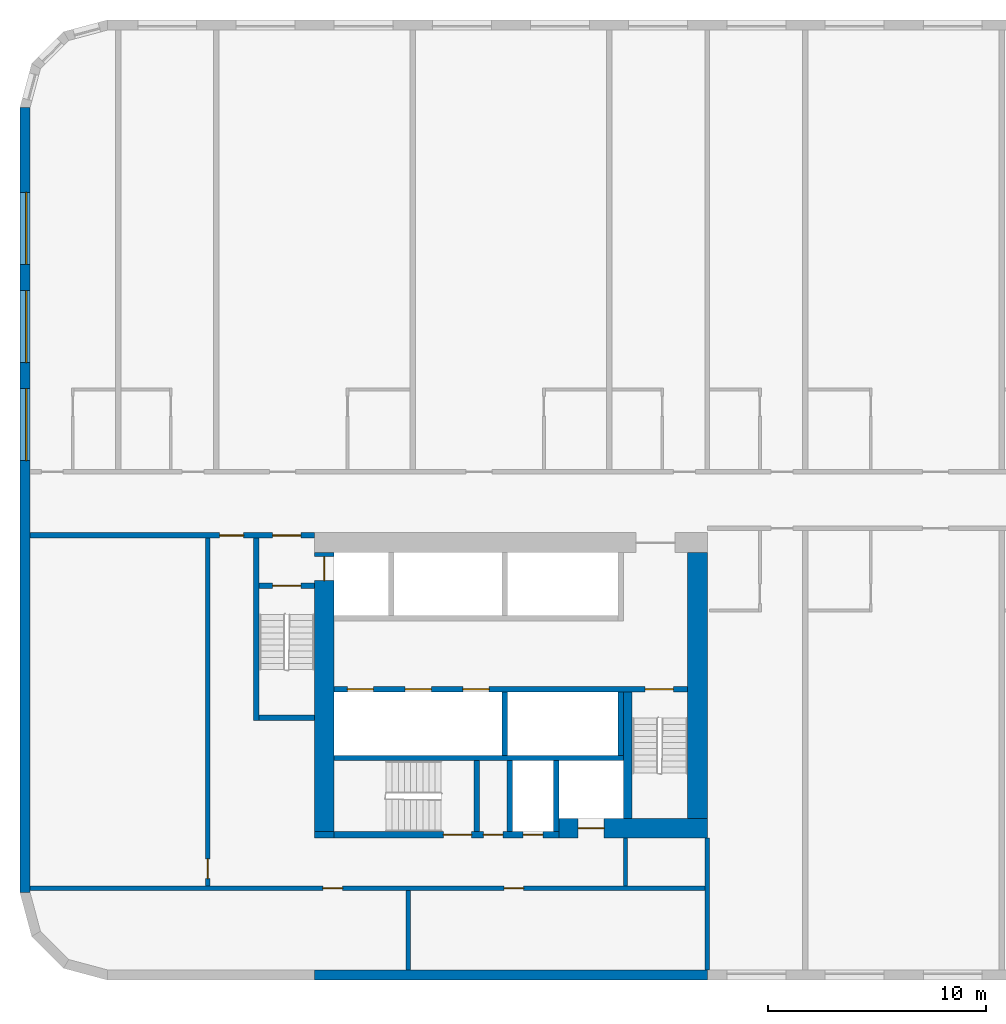
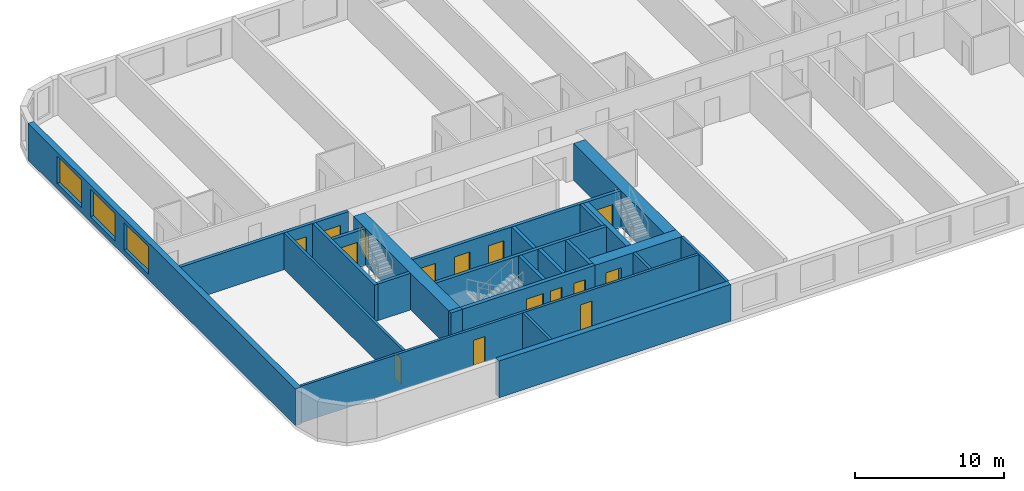
# One storey, part 2 of 12: 24 walls, 15 doors, 3 windows, 18 openings.
"""IFC4 building model written with IfcOpenShell, lengths in metres."""

from ifc_helpers import new_model, si_unit, direction, frame, frame_2d, origin, place, context, subcontext, project, spatial, rectangle, extrude, material, layer, layer_set, type_object, element, fill, save


model = new_model("IFC4")

# Units and contexts
model_context = context("Model", 3, precision=1e-05, world=origin(), true_north=direction((0.0, 1.0)))
body_context = subcontext(model_context, "Body", "Model", "MODEL_VIEW")
ifc_project = project(units=[si_unit("LENGTHUNIT", "METRE"), si_unit("AREAUNIT", "SQUARE_METRE"), si_unit("VOLUMEUNIT", "CUBIC_METRE"), si_unit("PLANEANGLEUNIT", "RADIAN"), si_unit("MASSUNIT", "GRAM", prefix="KILO")], contexts=[model_context])

# Site, building, storey
site_placement = place(None, origin())
site = spatial("IfcSite", under=ifc_project, at=site_placement, CompositionType="ELEMENT")
building_placement = place(site_placement, origin())
building = spatial("IfcBuilding", under=site, at=building_placement, Name="Kajstack Hotel Tower", CompositionType="ELEMENT")
storey_placement = place(building_placement, frame((0.0, 0.0, 66.60009765625)))
storey = spatial("IfcBuildingStorey", under=building, at=storey_placement, Name="L11", CompositionType="ELEMENT", Elevation=66.60009765625)

# Wall, opening, door
ifc_material_1 = material(Name="Concrete C60/75", Category="concrete")
ifc_layer_1 = layer(ifc_material_1, 0.89990234375)
ifc_layer_set_1 = layer_set([ifc_layer_1], Name="Core wall 900")
wall_type_1 = type_object("IfcWallType", Name="Core wall 900", PredefinedType="SHEAR", material=ifc_layer_set_1)
wall_1_placement = place(storey_placement, frame((-20.300048828125, -15.050048828125, 0.0), z_axis=(0.0, 0.0, 1.0), x_axis=(1.0, 0.0, 0.0)))
wall_1 = element("IfcWall", 1, at=wall_1_placement, inside=storey, type_object=wall_type_1, Name="Core wall W RS", PredefinedType="SHEAR", context=body_context, shape_type="SweptSolid", body=[
    extrude(rectangle(XDim=6.800048828125, YDim=0.89990234375, at=frame_2d((3.39990234375, 0.0))), origin(), (0.0, 0.0, 1.0), 3.02001953125),
])
opening_1_placement = place(wall_1_placement, frame((0.875, 0.0, 0.0)))
opening_1 = element("IfcOpeningElement", 2, at=opening_1_placement, cuts=wall_1, Name="Opening LD-SV1", PredefinedType="OPENING", context=body_context, shape_type="SweptSolid", body=[
    extrude(rectangle(XDim=1.199951171875, YDim=2.10009765625, at=frame_2d((0.60009765625, 1.050048828125))), frame((0.0, 0.4599609375, 0.0), z_axis=(0.0, -1.0, 0.0), x_axis=(1.0, 0.0, 0.0)), (0.0, 0.0, 1.0), 0.919921875),
])
ifc_material_2 = material(Name="Stainless steel", Category="steel")
door_type_1 = type_object("IfcDoorType", Name="Lift landing door 1200", OperationType="SLIDING_TO_LEFT", PredefinedType="DOOR", material=ifc_material_2)
door_1_placement = place(opening_1_placement, origin())
door_1 = element("IfcDoor", 3, at=door_1_placement, inside=storey, type_object=door_type_1, Name="Landing door SV1", OperationType="SLIDING_TO_LEFT", OverallHeight=2.10009765625, OverallWidth=1.199951171875, PredefinedType="DOOR", context=body_context, shape_type="SweptSolid", body=[
    extrude(rectangle(XDim=1.199951171875, YDim=2.10009765625, at=frame_2d((0.60009765625, 1.050048828125))), frame((0.0, 0.02490234375, 0.0), z_axis=(0.0, -1.0, 0.0), x_axis=(1.0, 0.0, 0.0)), (0.0, 0.0, 1.0), 0.050048828125),
])
fill(opening_1, door_1)

# Wall
wall_2_placement = place(storey_placement, frame((-31.5, -15.35009765625, 0.0), z_axis=(0.0, 0.0, 1.0), x_axis=(1.0, 0.0, 0.0)))
element("IfcWall", 4, at=wall_2_placement, inside=storey, type_object=wall_type_1, Name="Core wall W RSW", PredefinedType="SHEAR", context=body_context, shape_type="SweptSolid", body=[
    extrude(rectangle(XDim=0.89990234375, YDim=0.300048828125, at=frame_2d((0.449951171875, 0.0))), origin(), (0.0, 0.0, 1.0), 3.02001953125),
])

# Wall, opening, door
wall_3_placement = place(storey_placement, frame((-31.050048828125, -15.199951171875, 0.0), z_axis=(0.0, 0.0, 1.0), x_axis=(0.0, 1.0, 0.0)))
wall_3 = element("IfcWall", 5, at=wall_3_placement, inside=storey, type_object=wall_type_1, Name="Core wall W RW", PredefinedType="SHEAR", context=body_context, shape_type="SweptSolid", body=[
    extrude(rectangle(XDim=12.800048828125, YDim=0.89990234375, at=frame_2d((6.39990234375, 0.0))), origin(), (0.0, 0.0, 1.0), 3.02001953125),
])
opening_2_placement = place(wall_3_placement, frame((11.5, 0.0, 0.0)))
opening_2 = element("IfcOpeningElement", 6, at=opening_2_placement, cuts=wall_3, Name="Opening LD-FF1", PredefinedType="OPENING", context=body_context, shape_type="SweptSolid", body=[
    extrude(rectangle(XDim=1.10009765625, YDim=2.10009765625, at=frame_2d((0.550048828125, 1.050048828125))), frame((0.0, 0.4599609375, 0.0), z_axis=(0.0, -1.0, 0.0), x_axis=(1.0, 0.0, 0.0)), (0.0, 0.0, 1.0), 0.919921875),
])
door_type_2 = type_object("IfcDoorType", Name="Fire-fighting lift landing door 1100", OperationType="SLIDING_TO_LEFT", PredefinedType="DOOR", material=ifc_material_2)
door_2_placement = place(opening_2_placement, origin())
door_2 = element("IfcDoor", 7, at=door_2_placement, inside=storey, type_object=door_type_2, Name="Landing door FF1", OperationType="SLIDING_TO_RIGHT", OverallHeight=2.10009765625, OverallWidth=1.10009765625, PredefinedType="DOOR", context=body_context, shape_type="SweptSolid", body=[
    extrude(rectangle(XDim=1.10009765625, YDim=2.10009765625, at=frame_2d((0.550048828125, 1.050048828125))), frame((0.0, 0.02490234375, 0.0), z_axis=(0.0, -1.0, 0.0), x_axis=(1.0, 0.0, 0.0)), (0.0, 0.0, 1.0), 0.050048828125),
])
fill(opening_2, door_2)

# Walls
wall_4_placement = place(storey_placement, frame((-13.949951171875, -14.60009765625, 0.0), z_axis=(0.0, 0.0, 1.0), x_axis=(0.0, 1.0, 0.0)))
element("IfcWall", 8, at=wall_4_placement, inside=storey, type_object=wall_type_1, Name="Core wall W RE", PredefinedType="SHEAR", context=body_context, shape_type="SweptSolid", body=[
    extrude(rectangle(XDim=12.2001953125, YDim=0.89990234375, at=frame_2d((6.10009765625, 0.0))), origin(), (0.0, 0.0, 1.0), 3.02001953125),
])
ifc_material_3 = material(Name="Twin-frame gypsum board on steel studs, mineral wool", Category="steel")
ifc_layer_2 = layer(ifc_material_3, 0.199951171875)
ifc_layer_set_2 = layer_set([ifc_layer_2], Name="Demising wall 200")
wall_type_2 = type_object("IfcWallType", Name="Demising wall 200", PredefinedType="PARTITIONING", material=ifc_layer_set_2)
wall_5_placement = place(storey_placement, frame((-13.5, -21.550048828125, 0.0), z_axis=(0.0, 0.0, 1.0), x_axis=(0.0, 1.0, 0.0)))
element("IfcWall", 9, at=wall_5_placement, inside=storey, type_object=wall_type_2, Name="G-wall-L11-002", PredefinedType="PARTITIONING", context=body_context, shape_type="SweptSolid", body=[
    extrude(rectangle(XDim=6.050048828125, YDim=0.199951171875, at=frame_2d((3.02490234375, 0.0))), origin(), (0.0, 0.0, 1.0), 3.02001953125),
])
ifc_material_4 = material(Name="Concrete C40/50", Category="concrete")
ifc_layer_3 = layer(ifc_material_4, 0.449951171875)
ifc_layer_set_3 = layer_set([ifc_layer_3], Name="EW-CORE")
wall_type_3 = type_object("IfcWallType", Name="EW-CORE", PredefinedType="SOLIDWALL", material=ifc_layer_set_3)
wall_6_placement = place(storey_placement, frame((-31.5, -21.77490234375, 0.0), z_axis=(0.0, 0.0, 1.0), x_axis=(1.0, 0.0, 0.0)))
element("IfcWall", 10, at=wall_6_placement, inside=storey, type_object=wall_type_3, Name="E-wall-L11-03-01", PredefinedType="SOLIDWALL", context=body_context, shape_type="SweptSolid", body=[
    extrude(rectangle(XDim=18.0, YDim=0.449951171875, at=frame_2d((9.0, 0.0))), origin(), (0.0, 0.0, 1.0), 3.02001953125),
])

# Wall, openings, windows
ifc_material_5 = material(Name="Terracotta-faced brick masonry", Category="masonry")
ifc_layer_4 = layer(ifc_material_5, 0.449951171875)
ifc_layer_set_4 = layer_set([ifc_layer_4], Name="EW-TERRA")
wall_type_4 = type_object("IfcWallType", Name="EW-TERRA", PredefinedType="SOLIDWALL", material=ifc_layer_set_4)
wall_7_placement = place(storey_placement, frame((-44.77490234375, 18.0, 0.0), z_axis=(0.0, 0.0, 1.0), x_axis=(0.0, -1.0, 0.0)))
wall_7 = element("IfcWall", 11, at=wall_7_placement, inside=storey, type_object=wall_type_4, Name="E-wall-L11-15-00", PredefinedType="SOLIDWALL", context=body_context, shape_type="SweptSolid", body=[
    extrude(rectangle(XDim=36.0, YDim=0.449951171875, at=frame_2d((18.0, 0.0))), origin(), (0.0, 0.0, 1.0), 3.02001953125),
])
opening_3_placement = place(wall_7_placement, frame((3.89990234375, 0.0, 0.449951171875)))
opening_3 = element("IfcOpeningElement", 12, at=opening_3_placement, cuts=wall_7, Name="Opening W2", PredefinedType="OPENING", context=body_context, shape_type="SweptSolid", body=[
    extrude(rectangle(XDim=3.300048828125, YDim=2.25, at=frame_2d((1.64990234375, 1.125))), frame((0.0, 0.23486328125, 0.0), z_axis=(0.0, -1.0, 0.0), x_axis=(1.0, 0.0, 0.0)), (0.0, 0.0, 1.0), 0.469970703125),
])
opening_4_placement = place(wall_7_placement, frame((8.39990234375, 0.0, 0.449951171875)))
opening_4 = element("IfcOpeningElement", 13, at=opening_4_placement, cuts=wall_7, Name="Opening W2", PredefinedType="OPENING", context=body_context, shape_type="SweptSolid", body=[
    extrude(rectangle(XDim=3.300048828125, YDim=2.25, at=frame_2d((1.64990234375, 1.125))), frame((0.0, 0.23486328125, 0.0), z_axis=(0.0, -1.0, 0.0), x_axis=(1.0, 0.0, 0.0)), (0.0, 0.0, 1.0), 0.469970703125),
])
opening_5_placement = place(wall_7_placement, frame((12.89990234375, 0.0, 0.449951171875)))
opening_5 = element("IfcOpeningElement", 14, at=opening_5_placement, cuts=wall_7, Name="Opening W2", PredefinedType="OPENING", context=body_context, shape_type="SweptSolid", body=[
    extrude(rectangle(XDim=3.300048828125, YDim=2.25, at=frame_2d((1.64990234375, 1.125))), frame((0.0, 0.23486328125, 0.0), z_axis=(0.0, -1.0, 0.0), x_axis=(1.0, 0.0, 0.0)), (0.0, 0.0, 1.0), 0.469970703125),
])
ifc_material_6 = material(Name="Timber-aluminium window, triple glazed", Category="wood")
window_type = type_object("IfcWindowType", Name="WG2", PartitioningType="SINGLE_PANEL", PredefinedType="WINDOW", material=ifc_material_6)
window_1_placement = place(opening_3_placement, origin())
window_1 = element("IfcWindow", 15, at=window_1_placement, inside=storey, type_object=window_type, Name="Window W2 L11-15", OverallHeight=2.25, OverallWidth=3.300048828125, PartitioningType="SINGLE_PANEL", PredefinedType="WINDOW", context=body_context, shape_type="SweptSolid", body=[
    extrude(rectangle(XDim=3.300048828125, YDim=2.25, at=frame_2d((1.64990234375, 1.125))), frame((0.0, 0.090087890625, 0.0), z_axis=(0.0, -1.0, 0.0), x_axis=(1.0, 0.0, 0.0)), (0.0, 0.0, 1.0), 0.06005859375),
])
fill(opening_3, window_1)
window_2_placement = place(opening_4_placement, origin())
window_2 = element("IfcWindow", 16, at=window_2_placement, inside=storey, type_object=window_type, Name="Window W2 L11-15", OverallHeight=2.25, OverallWidth=3.300048828125, PartitioningType="SINGLE_PANEL", PredefinedType="WINDOW", context=body_context, shape_type="SweptSolid", body=[
    extrude(rectangle(XDim=3.300048828125, YDim=2.25, at=frame_2d((1.64990234375, 1.125))), frame((0.0, 0.090087890625, 0.0), z_axis=(0.0, -1.0, 0.0), x_axis=(1.0, 0.0, 0.0)), (0.0, 0.0, 1.0), 0.06005859375),
])
fill(opening_4, window_2)
window_3_placement = place(opening_5_placement, origin())
window_3 = element("IfcWindow", 17, at=window_3_placement, inside=storey, type_object=window_type, Name="Window W2 L11-15", OverallHeight=2.25, OverallWidth=3.300048828125, PartitioningType="SINGLE_PANEL", PredefinedType="WINDOW", context=body_context, shape_type="SweptSolid", body=[
    extrude(rectangle(XDim=3.300048828125, YDim=2.25, at=frame_2d((1.64990234375, 1.125))), frame((0.0, 0.090087890625, 0.0), z_axis=(0.0, -1.0, 0.0), x_axis=(1.0, 0.0, 0.0)), (0.0, 0.0, 1.0), 0.06005859375),
])
fill(opening_5, window_3)

# Walls
ifc_material_7 = material(Name="Concrete C50/60", Category="concrete")
ifc_layer_5 = layer(ifc_material_7, 0.300048828125)
ifc_layer_set_5 = layer_set([ifc_layer_5], Name="Hoistway divider wall 300")
wall_type_5 = type_object("IfcWallType", Name="Hoistway divider wall 300", PredefinedType="SHEAR", material=ifc_layer_set_5)
wall_8_placement = place(storey_placement, frame((-22.77490234375, -11.699951171875, 0.0), z_axis=(0.0, 0.0, 1.0), x_axis=(0.0, 1.0, 0.0)))
element("IfcWall", 18, at=wall_8_placement, inside=storey, type_object=wall_type_5, Name="Core wall W BP2", PredefinedType="SHEAR", context=body_context, shape_type="SweptSolid", body=[
    extrude(rectangle(XDim=2.89990234375, YDim=0.25, at=frame_2d((1.449951171875, 0.0))), origin(), (0.0, 0.0, 1.0), 3.02001953125),
])
ifc_material_8 = material(Name="Concrete block masonry", Category="masonry")
ifc_layer_6 = layer(ifc_material_8, 0.25)
ifc_layer_set_6 = layer_set([ifc_layer_6], Name="Riser partition 250")
wall_type_6 = type_object("IfcWallType", Name="Riser partition 250", PredefinedType="PARTITIONING", material=ifc_layer_set_6)
wall_9_placement = place(storey_placement, frame((-22.550048828125, -15.199951171875, 0.0), z_axis=(0.0, 0.0, 1.0), x_axis=(0.0, 1.0, 0.0)))
element("IfcWall", 19, at=wall_9_placement, inside=storey, type_object=wall_type_6, Name="Partition W SZ0", PredefinedType="PARTITIONING", context=body_context, shape_type="SweptSolid", body=[
    extrude(rectangle(XDim=3.25, YDim=0.25, at=frame_2d((1.625, 0.0))), origin(), (0.0, 0.0, 1.0), 3.02001953125),
])

# Wall, openings, doors
ifc_material_9 = material(Name="Gypsum board on steel studs, mineral wool", Category="steel")
ifc_layer_7 = layer(ifc_material_9, 0.199951171875)
ifc_layer_set_7 = layer_set([ifc_layer_7], Name="Service partition 200")
wall_type_7 = type_object("IfcWallType", Name="Service partition 200", PredefinedType="PARTITIONING", material=ifc_layer_set_7)
wall_10_placement = place(storey_placement, frame((-44.550048828125, -1.625, 0.0), z_axis=(0.0, 0.0, 1.0), x_axis=(1.0, 0.0, 0.0)))
wall_10 = element("IfcWall", 20, at=wall_10_placement, inside=storey, type_object=wall_type_7, Name="Partition W SN", PredefinedType="PARTITIONING", context=body_context, shape_type="SweptSolid", body=[
    extrude(rectangle(XDim=13.050048828125, YDim=0.25, at=frame_2d((6.52490234375, 0.0))), origin(), (0.0, 0.0, 1.0), 3.02001953125),
])
opening_6_placement = place(wall_10_placement, frame((11.125, 0.0, 0.0)))
opening_6 = element("IfcOpeningElement", 21, at=opening_6_placement, cuts=wall_10, Name="Opening 11W07", PredefinedType="OPENING", context=body_context, shape_type="SweptSolid", body=[
    extrude(rectangle(XDim=1.300048828125, YDim=2.10009765625, at=frame_2d((0.64990234375, 1.050048828125))), frame((0.0, 0.135009765625, 0.0), z_axis=(0.0, -1.0, 0.0), x_axis=(1.0, 0.0, 0.0)), (0.0, 0.0, 1.0), 0.27001953125),
])
opening_7_placement = place(wall_10_placement, frame((8.699951171875, 0.0, 0.0)))
opening_7 = element("IfcOpeningElement", 22, at=opening_7_placement, cuts=wall_10, Name="Opening 11W09", PredefinedType="OPENING", context=body_context, shape_type="SweptSolid", body=[
    extrude(rectangle(XDim=1.10009765625, YDim=2.10009765625, at=frame_2d((0.550048828125, 1.050048828125))), frame((0.0, 0.135009765625, 0.0), z_axis=(0.0, -1.0, 0.0), x_axis=(1.0, 0.0, 0.0)), (0.0, 0.0, 1.0), 0.27001953125),
])
ifc_material_10 = material(Name="Steel leaf, fire-rated", Category="steel")
door_type_3 = type_object("IfcDoorType", Name="Fire lobby door 1300", OperationType="SINGLE_SWING_LEFT", PredefinedType="DOOR", material=ifc_material_10)
door_3_placement = place(opening_6_placement, origin())
door_3 = element("IfcDoor", 23, at=door_3_placement, inside=storey, type_object=door_type_3, Name="Door 11W07", OperationType="SINGLE_SWING_RIGHT", OverallHeight=2.10009765625, OverallWidth=1.300048828125, PredefinedType="DOOR", context=body_context, shape_type="SweptSolid", body=[
    extrude(rectangle(XDim=1.300048828125, YDim=2.10009765625, at=frame_2d((0.64990234375, 1.050048828125))), frame((0.0, 0.02490234375, 0.0), z_axis=(0.0, -1.0, 0.0), x_axis=(1.0, 0.0, 0.0)), (0.0, 0.0, 1.0), 0.050048828125),
])
fill(opening_6, door_3)
ifc_material_11 = material(Name="Timber leaf, fire-rated", Category="wood")
door_type_4 = type_object("IfcDoorType", Name="Service corridor door 1100", OperationType="SINGLE_SWING_LEFT", PredefinedType="DOOR", material=ifc_material_11)
door_4_placement = place(opening_7_placement, origin())
door_4 = element("IfcDoor", 24, at=door_4_placement, inside=storey, type_object=door_type_4, Name="Door 11W09", OperationType="SINGLE_SWING_RIGHT", OverallHeight=2.10009765625, OverallWidth=1.10009765625, PredefinedType="DOOR", context=body_context, shape_type="SweptSolid", body=[
    extrude(rectangle(XDim=1.10009765625, YDim=2.10009765625, at=frame_2d((0.550048828125, 1.050048828125))), frame((0.0, 0.02490234375, 0.0), z_axis=(0.0, -1.0, 0.0), x_axis=(1.0, 0.0, 0.0)), (0.0, 0.0, 1.0), 0.050048828125),
])
fill(opening_7, door_4)

# Wall
wall_11_placement = place(storey_placement, frame((-17.25, -17.699951171875, 0.0), z_axis=(0.0, 0.0, 1.0), x_axis=(0.0, 1.0, 0.0)))
element("IfcWall", 25, at=wall_11_placement, inside=storey, type_object=wall_type_7, Name="Partition W SCE", PredefinedType="PARTITIONING", context=body_context, shape_type="SweptSolid", body=[
    extrude(rectangle(XDim=2.199951171875, YDim=0.199951171875, at=frame_2d((1.10009765625, 0.0))), origin(), (0.0, 0.0, 1.0), 3.02001953125),
])

# Wall, opening, door
wall_12_placement = place(storey_placement, frame((-36.39990234375, -17.699951171875, 0.0), z_axis=(0.0, 0.0, 1.0), x_axis=(0.0, 1.0, 0.0)))
wall_12 = element("IfcWall", 26, at=wall_12_placement, inside=storey, type_object=wall_type_7, Name="Partition W WRE", PredefinedType="PARTITIONING", context=body_context, shape_type="SweptSolid", body=[
    extrude(rectangle(XDim=15.949951171875, YDim=0.199951171875, at=frame_2d((7.97509765625, 0.0))), origin(), (0.0, 0.0, 1.0), 3.02001953125),
])
opening_8_placement = place(wall_12_placement, frame((0.35009765625, 0.0, 0.0)))
opening_8 = element("IfcOpeningElement", 27, at=opening_8_placement, cuts=wall_12, Name="Opening 11W16", PredefinedType="OPENING", context=body_context, shape_type="SweptSolid", body=[
    extrude(rectangle(XDim=0.89990234375, YDim=2.10009765625, at=frame_2d((0.449951171875, 1.050048828125))), frame((0.0, 0.10986328125, 0.0), z_axis=(0.0, -1.0, 0.0), x_axis=(1.0, 0.0, 0.0)), (0.0, 0.0, 1.0), 0.219970703125),
])
door_type_5 = type_object("IfcDoorType", Name="Service door 900", OperationType="SINGLE_SWING_LEFT", PredefinedType="DOOR", material=ifc_material_11)
door_5_placement = place(opening_8_placement, origin())
door_5 = element("IfcDoor", 28, at=door_5_placement, inside=storey, type_object=door_type_5, Name="Door 11W16", OperationType="SINGLE_SWING_LEFT", OverallHeight=2.10009765625, OverallWidth=0.89990234375, PredefinedType="DOOR", context=body_context, shape_type="SweptSolid", body=[
    extrude(rectangle(XDim=0.89990234375, YDim=2.10009765625, at=frame_2d((0.449951171875, 1.050048828125))), frame((0.0, 0.02490234375, 0.0), z_axis=(0.0, -1.0, 0.0), x_axis=(1.0, 0.0, 0.0)), (0.0, 0.0, 1.0), 0.050048828125),
])
fill(opening_8, door_5)

# Wall, openings, doors
wall_13_placement = place(storey_placement, frame((-44.550048828125, -17.800048828125, 0.0), z_axis=(0.0, 0.0, 1.0), x_axis=(1.0, 0.0, 0.0)))
wall_13 = element("IfcWall", 29, at=wall_13_placement, inside=storey, type_object=wall_type_7, Name="Partition W SLN", PredefinedType="PARTITIONING", context=body_context, shape_type="SweptSolid", body=[
    extrude(rectangle(XDim=30.949951171875, YDim=0.199951171875, at=frame_2d((15.47509765625, 0.0))), origin(), (0.0, 0.0, 1.0), 3.02001953125),
])
opening_9_placement = place(wall_13_placement, frame((13.4375, 0.0, 0.0)))
opening_9 = element("IfcOpeningElement", 30, at=opening_9_placement, cuts=wall_13, Name="Opening 11W14", PredefinedType="OPENING", context=body_context, shape_type="SweptSolid", body=[
    extrude(rectangle(XDim=0.89990234375, YDim=2.10009765625, at=frame_2d((0.449951171875, 1.050048828125))), frame((0.0, 0.10986328125, 0.0), z_axis=(0.0, -1.0, 0.0), x_axis=(1.0, 0.0, 0.0)), (0.0, 0.0, 1.0), 0.219970703125),
])
opening_10_placement = place(wall_13_placement, frame((21.737548828125, 0.0, 0.0)))
opening_10 = element("IfcOpeningElement", 31, at=opening_10_placement, cuts=wall_13, Name="Opening 11W15", PredefinedType="OPENING", context=body_context, shape_type="SweptSolid", body=[
    extrude(rectangle(XDim=0.89990234375, YDim=2.10009765625, at=frame_2d((0.449951171875, 1.050048828125))), frame((0.0, 0.10986328125, 0.0), z_axis=(0.0, -1.0, 0.0), x_axis=(1.0, 0.0, 0.0)), (0.0, 0.0, 1.0), 0.219970703125),
])
door_6_placement = place(opening_9_placement, origin())
door_6 = element("IfcDoor", 32, at=door_6_placement, inside=storey, type_object=door_type_5, Name="Door 11W14", OperationType="SINGLE_SWING_RIGHT", OverallHeight=2.10009765625, OverallWidth=0.89990234375, PredefinedType="DOOR", context=body_context, shape_type="SweptSolid", body=[
    extrude(rectangle(XDim=0.89990234375, YDim=2.10009765625, at=frame_2d((0.449951171875, 1.050048828125))), frame((0.0, 0.02490234375, 0.0), z_axis=(0.0, -1.0, 0.0), x_axis=(1.0, 0.0, 0.0)), (0.0, 0.0, 1.0), 0.050048828125),
])
fill(opening_9, door_6)
door_7_placement = place(opening_10_placement, origin())
door_7 = element("IfcDoor", 33, at=door_7_placement, inside=storey, type_object=door_type_5, Name="Door 11W15", OperationType="SINGLE_SWING_RIGHT", OverallHeight=2.10009765625, OverallWidth=0.89990234375, PredefinedType="DOOR", context=body_context, shape_type="SweptSolid", body=[
    extrude(rectangle(XDim=0.89990234375, YDim=2.10009765625, at=frame_2d((0.449951171875, 1.050048828125))), frame((0.0, 0.02490234375, 0.0), z_axis=(0.0, -1.0, 0.0), x_axis=(1.0, 0.0, 0.0)), (0.0, 0.0, 1.0), 0.050048828125),
])
fill(opening_10, door_7)

# Wall
wall_14_placement = place(storey_placement, frame((-27.199951171875, -21.550048828125, 0.0), z_axis=(0.0, 0.0, 1.0), x_axis=(0.0, 1.0, 0.0)))
element("IfcWall", 34, at=wall_14_placement, inside=storey, type_object=wall_type_7, Name="Partition W SLP0", PredefinedType="PARTITIONING", context=body_context, shape_type="SweptSolid", body=[
    extrude(rectangle(XDim=3.650146484375, YDim=0.199951171875, at=frame_2d((1.8251953125, 0.0))), origin(), (0.0, 0.0, 1.0), 3.02001953125),
])

# Wall, openings, doors
ifc_layer_8 = layer(ifc_material_7, 0.25)
ifc_layer_set_8 = layer_set([ifc_layer_8], Name="Shaft wall 250")
wall_type_8 = type_object("IfcWallType", Name="Shaft wall 250", PredefinedType="SHEAR", material=ifc_layer_set_8)
wall_15_placement = place(storey_placement, frame((-30.60009765625, -15.35009765625, 0.0), z_axis=(0.0, 0.0, 1.0), x_axis=(1.0, 0.0, 0.0)))
wall_15 = element("IfcWall", 35, at=wall_15_placement, inside=storey, type_object=wall_type_8, Name="Core wall W RSS", PredefinedType="SHEAR", context=body_context, shape_type="SweptSolid", body=[
    extrude(rectangle(XDim=10.300048828125, YDim=0.300048828125, at=frame_2d((5.14990234375, 0.0))), origin(), (0.0, 0.0, 1.0), 3.02001953125),
])
opening_11_placement = place(wall_15_placement, frame((5.0, 0.0, 0.0)))
opening_11 = element("IfcOpeningElement", 36, at=opening_11_placement, cuts=wall_15, Name="Opening 11W11", PredefinedType="OPENING", context=body_context, shape_type="SweptSolid", body=[
    extrude(rectangle(XDim=1.300048828125, YDim=2.10009765625, at=frame_2d((0.64990234375, 1.050048828125))), frame((0.0, 0.159912109375, 0.0), z_axis=(0.0, -1.0, 0.0), x_axis=(1.0, 0.0, 0.0)), (0.0, 0.0, 1.0), 0.320068359375),
])
opening_12_placement = place(wall_15_placement, frame((6.83740234375, 0.0, 0.0)))
opening_12 = element("IfcOpeningElement", 37, at=opening_12_placement, cuts=wall_15, Name="Opening 11W12", PredefinedType="OPENING", context=body_context, shape_type="SweptSolid", body=[
    extrude(rectangle(XDim=0.89990234375, YDim=2.10009765625, at=frame_2d((0.449951171875, 1.050048828125))), frame((0.0, 0.159912109375, 0.0), z_axis=(0.0, -1.0, 0.0), x_axis=(1.0, 0.0, 0.0)), (0.0, 0.0, 1.0), 0.320068359375),
])
opening_13_placement = place(wall_15_placement, frame((8.66259765625, 0.0, 0.0)))
opening_13 = element("IfcOpeningElement", 38, at=opening_13_placement, cuts=wall_15, Name="Opening 11W13", PredefinedType="OPENING", context=body_context, shape_type="SweptSolid", body=[
    extrude(rectangle(XDim=0.89990234375, YDim=2.10009765625, at=frame_2d((0.449951171875, 1.050048828125))), frame((0.0, 0.159912109375, 0.0), z_axis=(0.0, -1.0, 0.0), x_axis=(1.0, 0.0, 0.0)), (0.0, 0.0, 1.0), 0.320068359375),
])
door_type_6 = type_object("IfcDoorType", Name="Riser door 900", OperationType="SINGLE_SWING_LEFT", PredefinedType="DOOR", material=ifc_material_10)
door_8_placement = place(opening_13_placement, origin())
door_8 = element("IfcDoor", 39, at=door_8_placement, inside=storey, type_object=door_type_6, Name="Door 11W13", OperationType="SINGLE_SWING_LEFT", OverallHeight=2.10009765625, OverallWidth=0.89990234375, PredefinedType="DOOR", context=body_context, shape_type="SweptSolid", body=[
    extrude(rectangle(XDim=0.89990234375, YDim=2.10009765625, at=frame_2d((0.449951171875, 1.050048828125))), frame((0.0, 0.02490234375, 0.0), z_axis=(0.0, -1.0, 0.0), x_axis=(1.0, 0.0, 0.0)), (0.0, 0.0, 1.0), 0.050048828125),
])
fill(opening_13, door_8)
door_9_placement = place(opening_12_placement, origin())
door_9 = element("IfcDoor", 40, at=door_9_placement, inside=storey, type_object=door_type_5, Name="Door 11W12", OperationType="SINGLE_SWING_LEFT", OverallHeight=2.10009765625, OverallWidth=0.89990234375, PredefinedType="DOOR", context=body_context, shape_type="SweptSolid", body=[
    extrude(rectangle(XDim=0.89990234375, YDim=2.10009765625, at=frame_2d((0.449951171875, 1.050048828125))), frame((0.0, 0.02490234375, 0.0), z_axis=(0.0, -1.0, 0.0), x_axis=(1.0, 0.0, 0.0)), (0.0, 0.0, 1.0), 0.050048828125),
])
fill(opening_12, door_9)
door_type_7 = type_object("IfcDoorType", Name="Stair door 1300", OperationType="SINGLE_SWING_LEFT", PredefinedType="DOOR", material=ifc_material_10)
door_10_placement = place(opening_11_placement, origin())
door_10 = element("IfcDoor", 41, at=door_10_placement, inside=storey, type_object=door_type_7, Name="Door 11W11", OperationType="SINGLE_SWING_RIGHT", OverallHeight=2.10009765625, OverallWidth=1.300048828125, PredefinedType="DOOR", context=body_context, shape_type="SweptSolid", body=[
    extrude(rectangle(XDim=1.300048828125, YDim=2.10009765625, at=frame_2d((0.64990234375, 1.050048828125))), frame((0.0, 0.02490234375, 0.0), z_axis=(0.0, -1.0, 0.0), x_axis=(1.0, 0.0, 0.0)), (0.0, 0.0, 1.0), 0.050048828125),
])
fill(opening_11, door_10)

wall_16_placement = place(storey_placement, frame((-30.60009765625, -8.675048828125, 0.0), z_axis=(0.0, 0.0, 1.0), x_axis=(1.0, 0.0, 0.0)))
wall_16 = element("IfcWall", 42, at=wall_16_placement, inside=storey, type_object=wall_type_8, Name="Core wall W FB", PredefinedType="SHEAR", context=body_context, shape_type="SweptSolid", body=[
    extrude(rectangle(XDim=16.2001953125, YDim=0.25, at=frame_2d((8.10009765625, 0.0))), origin(), (0.0, 0.0, 1.0), 3.02001953125),
])
opening_14_placement = place(wall_16_placement, frame((0.60009765625, 0.0, 0.0)))
opening_14 = element("IfcOpeningElement", 43, at=opening_14_placement, cuts=wall_16, Name="Opening LD-LR1", PredefinedType="OPENING", context=body_context, shape_type="SweptSolid", body=[
    extrude(rectangle(XDim=1.199951171875, YDim=2.10009765625, at=frame_2d((0.60009765625, 1.050048828125))), frame((0.0, 0.135009765625, 0.0), z_axis=(0.0, -1.0, 0.0), x_axis=(1.0, 0.0, 0.0)), (0.0, 0.0, 1.0), 0.27001953125),
])
opening_15_placement = place(wall_16_placement, frame((3.25, 0.0, 0.0)))
opening_15 = element("IfcOpeningElement", 44, at=opening_15_placement, cuts=wall_16, Name="Opening LD-LR2", PredefinedType="OPENING", context=body_context, shape_type="SweptSolid", body=[
    extrude(rectangle(XDim=1.199951171875, YDim=2.10009765625, at=frame_2d((0.60009765625, 1.050048828125))), frame((0.0, 0.135009765625, 0.0), z_axis=(0.0, -1.0, 0.0), x_axis=(1.0, 0.0, 0.0)), (0.0, 0.0, 1.0), 0.27001953125),
])
opening_16_placement = place(wall_16_placement, frame((5.89990234375, 0.0, 0.0)))
opening_16 = element("IfcOpeningElement", 45, at=opening_16_placement, cuts=wall_16, Name="Opening LD-LR3", PredefinedType="OPENING", context=body_context, shape_type="SweptSolid", body=[
    extrude(rectangle(XDim=1.199951171875, YDim=2.10009765625, at=frame_2d((0.60009765625, 1.050048828125))), frame((0.0, 0.135009765625, 0.0), z_axis=(0.0, -1.0, 0.0), x_axis=(1.0, 0.0, 0.0)), (0.0, 0.0, 1.0), 0.27001953125),
])
opening_17_placement = place(wall_16_placement, frame((14.25, 0.0, 0.0)))
opening_17 = element("IfcOpeningElement", 46, at=opening_17_placement, cuts=wall_16, Name="Opening 11W10", PredefinedType="OPENING", context=body_context, shape_type="SweptSolid", body=[
    extrude(rectangle(XDim=1.300048828125, YDim=2.10009765625, at=frame_2d((0.64990234375, 1.050048828125))), frame((0.0, 0.135009765625, 0.0), z_axis=(0.0, -1.0, 0.0), x_axis=(1.0, 0.0, 0.0)), (0.0, 0.0, 1.0), 0.27001953125),
])
door_11_placement = place(opening_14_placement, origin())
door_11 = element("IfcDoor", 47, at=door_11_placement, inside=storey, type_object=door_type_1, Name="Landing door LR1", OperationType="SLIDING_TO_LEFT", OverallHeight=2.10009765625, OverallWidth=1.199951171875, PredefinedType="DOOR", context=body_context, shape_type="SweptSolid", body=[
    extrude(rectangle(XDim=1.199951171875, YDim=2.10009765625, at=frame_2d((0.60009765625, 1.050048828125))), frame((0.0, 0.02490234375, 0.0), z_axis=(0.0, -1.0, 0.0), x_axis=(1.0, 0.0, 0.0)), (0.0, 0.0, 1.0), 0.050048828125),
])
fill(opening_14, door_11)
door_12_placement = place(opening_15_placement, origin())
door_12 = element("IfcDoor", 48, at=door_12_placement, inside=storey, type_object=door_type_1, Name="Landing door LR2", OperationType="SLIDING_TO_RIGHT", OverallHeight=2.10009765625, OverallWidth=1.199951171875, PredefinedType="DOOR", context=body_context, shape_type="SweptSolid", body=[
    extrude(rectangle(XDim=1.199951171875, YDim=2.10009765625, at=frame_2d((0.60009765625, 1.050048828125))), frame((0.0, 0.02490234375, 0.0), z_axis=(0.0, -1.0, 0.0), x_axis=(1.0, 0.0, 0.0)), (0.0, 0.0, 1.0), 0.050048828125),
])
fill(opening_15, door_12)
door_13_placement = place(opening_16_placement, origin())
door_13 = element("IfcDoor", 49, at=door_13_placement, inside=storey, type_object=door_type_1, Name="Landing door LR3", OperationType="SLIDING_TO_RIGHT", OverallHeight=2.10009765625, OverallWidth=1.199951171875, PredefinedType="DOOR", context=body_context, shape_type="SweptSolid", body=[
    extrude(rectangle(XDim=1.199951171875, YDim=2.10009765625, at=frame_2d((0.60009765625, 1.050048828125))), frame((0.0, 0.02490234375, 0.0), z_axis=(0.0, -1.0, 0.0), x_axis=(1.0, 0.0, 0.0)), (0.0, 0.0, 1.0), 0.050048828125),
])
fill(opening_16, door_13)
door_14_placement = place(opening_17_placement, origin())
door_14 = element("IfcDoor", 50, at=door_14_placement, inside=storey, type_object=door_type_7, Name="Door 11W10", OperationType="SINGLE_SWING_RIGHT", OverallHeight=2.10009765625, OverallWidth=1.300048828125, PredefinedType="DOOR", context=body_context, shape_type="SweptSolid", body=[
    extrude(rectangle(XDim=1.300048828125, YDim=2.10009765625, at=frame_2d((0.64990234375, 1.050048828125))), frame((0.0, 0.02490234375, 0.0), z_axis=(0.0, -1.0, 0.0), x_axis=(1.0, 0.0, 0.0)), (0.0, 0.0, 1.0), 0.050048828125),
])
fill(opening_17, door_14)

# Walls
wall_17_placement = place(storey_placement, frame((-30.60009765625, -11.824951171875, 0.0), z_axis=(0.0, 0.0, 1.0), x_axis=(1.0, 0.0, 0.0)))
element("IfcWall", 51, at=wall_17_placement, inside=storey, type_object=wall_type_8, Name="Core wall W RB", PredefinedType="SHEAR", context=body_context, shape_type="SweptSolid", body=[
    extrude(rectangle(XDim=13.25, YDim=0.25, at=frame_2d((6.625, 0.0))), origin(), (0.0, 0.0, 1.0), 3.02001953125),
])
wall_18_placement = place(storey_placement, frame((-17.47509765625, -11.699951171875, 0.0), z_axis=(0.0, 0.0, 1.0), x_axis=(0.0, 1.0, 0.0)))
element("IfcWall", 52, at=wall_18_placement, inside=storey, type_object=wall_type_8, Name="Core wall W BE", PredefinedType="SHEAR", context=body_context, shape_type="SweptSolid", body=[
    extrude(rectangle(XDim=2.89990234375, YDim=0.25, at=frame_2d((1.449951171875, 0.0))), origin(), (0.0, 0.0, 1.0), 3.02001953125),
])
wall_19_placement = place(storey_placement, frame((-20.425048828125, -15.199951171875, 0.0), z_axis=(0.0, 0.0, 1.0), x_axis=(0.0, 1.0, 0.0)))
element("IfcWall", 53, at=wall_19_placement, inside=storey, type_object=wall_type_8, Name="Core wall W SVW", PredefinedType="SHEAR", context=body_context, shape_type="SweptSolid", body=[
    extrude(rectangle(XDim=3.25, YDim=0.25, at=frame_2d((1.625, 0.0))), origin(), (0.0, 0.0, 1.0), 3.02001953125),
])

# Wall, opening, door
ifc_layer_9 = layer(ifc_material_4, 0.25)
ifc_layer_set_9 = layer_set([ifc_layer_9], Name="Stair enclosure wall 250")
wall_type_9 = type_object("IfcWallType", Name="Stair enclosure wall 250", PredefinedType="SHEAR", material=ifc_layer_set_9)
wall_20_placement = place(storey_placement, frame((-34.050048828125, -3.925048828125, 0.0), z_axis=(0.0, 0.0, 1.0), x_axis=(1.0, 0.0, 0.0)))
wall_20 = element("IfcWall", 54, at=wall_20_placement, inside=storey, type_object=wall_type_9, Name="Core wall W W1N", PredefinedType="SHEAR", context=body_context, shape_type="SweptSolid", body=[
    extrude(rectangle(XDim=2.550048828125, YDim=0.25, at=frame_2d((1.27490234375, 0.0))), origin(), (0.0, 0.0, 1.0), 3.02001953125),
])
opening_18_placement = place(wall_20_placement, frame((0.625, 0.0, 0.0)))
opening_18 = element("IfcOpeningElement", 55, at=opening_18_placement, cuts=wall_20, Name="Opening 11W08", PredefinedType="OPENING", context=body_context, shape_type="SweptSolid", body=[
    extrude(rectangle(XDim=1.300048828125, YDim=2.10009765625, at=frame_2d((0.64990234375, 1.050048828125))), frame((0.0, 0.135009765625, 0.0), z_axis=(0.0, -1.0, 0.0), x_axis=(1.0, 0.0, 0.0)), (0.0, 0.0, 1.0), 0.27001953125),
])
door_15_placement = place(opening_18_placement, origin())
door_15 = element("IfcDoor", 56, at=door_15_placement, inside=storey, type_object=door_type_7, Name="Door 11W08", OperationType="SINGLE_SWING_RIGHT", OverallHeight=2.10009765625, OverallWidth=1.300048828125, PredefinedType="DOOR", context=body_context, shape_type="SweptSolid", body=[
    extrude(rectangle(XDim=1.300048828125, YDim=2.10009765625, at=frame_2d((0.64990234375, 1.050048828125))), frame((0.0, 0.02490234375, 0.0), z_axis=(0.0, -1.0, 0.0), x_axis=(1.0, 0.0, 0.0)), (0.0, 0.0, 1.0), 0.050048828125),
])
fill(opening_18, door_15)

# Walls
wall_21_placement = place(storey_placement, frame((-34.175048828125, -10.10009765625, 0.0), z_axis=(0.0, 0.0, 1.0), x_axis=(0.0, 1.0, 0.0)))
element("IfcWall", 57, at=wall_21_placement, inside=storey, type_object=wall_type_9, Name="Core wall W W1W", PredefinedType="SHEAR", context=body_context, shape_type="SweptSolid", body=[
    extrude(rectangle(XDim=8.35009765625, YDim=0.25, at=frame_2d((4.175048828125, 0.0))), origin(), (0.0, 0.0, 1.0), 3.02001953125),
])
wall_22_placement = place(storey_placement, frame((-34.050048828125, -9.97509765625, 0.0), z_axis=(0.0, 0.0, 1.0), x_axis=(1.0, 0.0, 0.0)))
element("IfcWall", 58, at=wall_22_placement, inside=storey, type_object=wall_type_9, Name="Core wall W W1S", PredefinedType="SHEAR", context=body_context, shape_type="SweptSolid", body=[
    extrude(rectangle(XDim=2.550048828125, YDim=0.25, at=frame_2d((1.27490234375, 0.0))), origin(), (0.0, 0.0, 1.0), 3.02001953125),
])
ifc_layer_10 = layer(ifc_material_7, 0.35009765625)
ifc_layer_set_10 = layer_set([ifc_layer_10], Name="Stair enclosure wall 350")
wall_type_10 = type_object("IfcWallType", Name="Stair enclosure wall 350", PredefinedType="SHEAR", material=ifc_layer_set_10)
wall_23_placement = place(storey_placement, frame((-24.074951171875, -15.199951171875, 0.0), z_axis=(0.0, 0.0, 1.0), x_axis=(0.0, 1.0, 0.0)))
element("IfcWall", 59, at=wall_23_placement, inside=storey, type_object=wall_type_10, Name="Core wall W W3E", PredefinedType="SHEAR", context=body_context, shape_type="SweptSolid", body=[
    extrude(rectangle(XDim=3.25, YDim=0.25, at=frame_2d((1.625, 0.0))), origin(), (0.0, 0.0, 1.0), 3.02001953125),
])
ifc_layer_11 = layer(ifc_material_7, 0.39990234375)
ifc_layer_set_11 = layer_set([ifc_layer_11], Name="Stair wall 400")
wall_type_11 = type_object("IfcWallType", Name="Stair wall 400", PredefinedType="SHEAR", material=ifc_layer_set_11)
wall_24_placement = place(storey_placement, frame((-17.14990234375, -14.60009765625, 0.0), z_axis=(0.0, 0.0, 1.0), x_axis=(0.0, 1.0, 0.0)))
element("IfcWall", 60, at=wall_24_placement, inside=storey, type_object=wall_type_11, Name="Core wall W WW2", PredefinedType="SHEAR", context=body_context, shape_type="SweptSolid", body=[
    extrude(rectangle(XDim=5.800048828125, YDim=0.39990234375, at=frame_2d((2.89990234375, 0.0))), origin(), (0.0, 0.0, 1.0), 3.02001953125),
])

save(model, "model.ifc")
